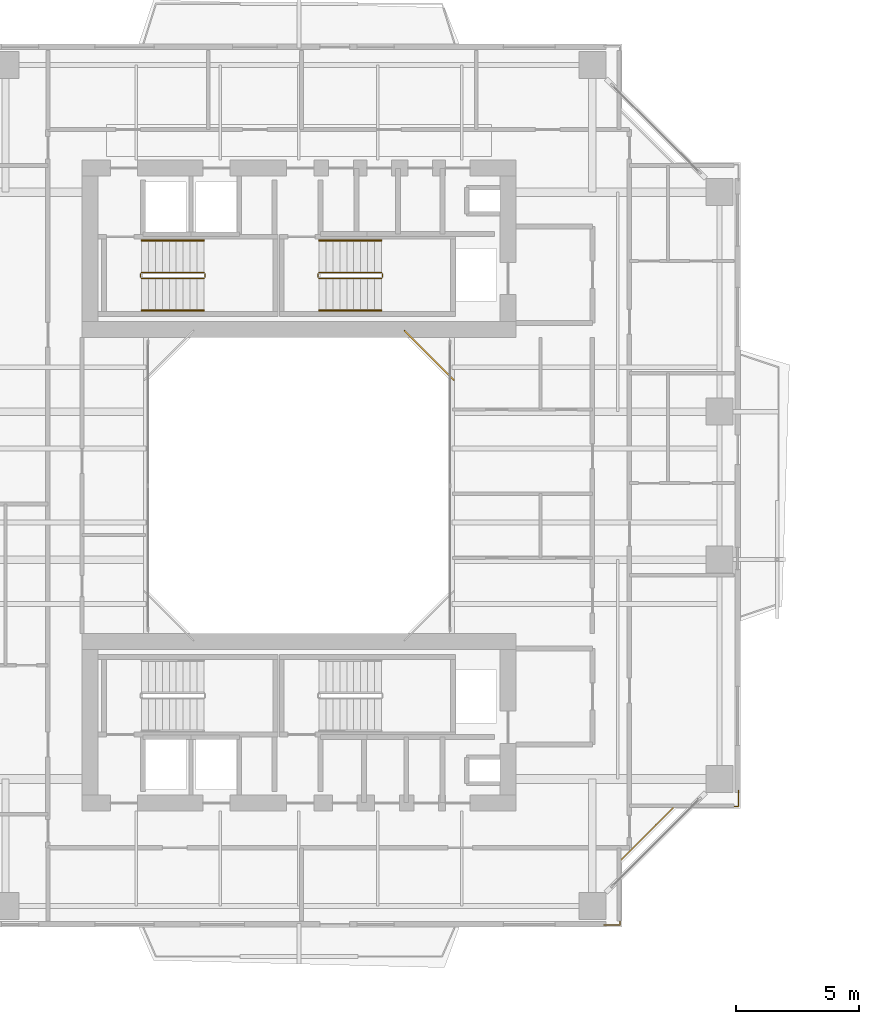
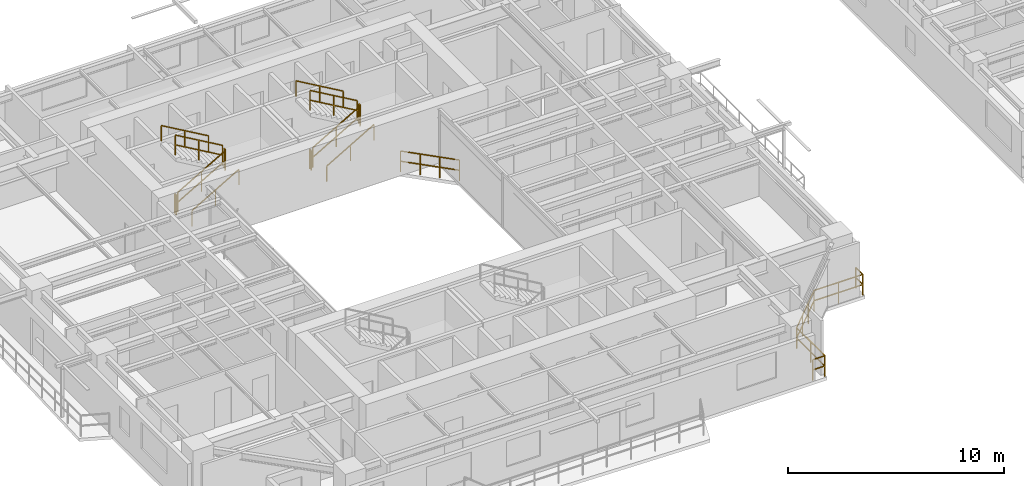
# One storey, part 20 of 23: 14 railings.
"""IFC4 building model written with IfcOpenShell, lengths in metres."""

from ifc_helpers import new_model, si_unit, direction, frame, origin, origin_2d, place, context, subcontext, project, spatial, rectangle, extrude, material, type_object, element, save


model = new_model("IFC4")

# Units and contexts
model_context = context("Model", 3, precision=1e-05, world=origin(), true_north=direction((0.0, 1.0)))
body_context = subcontext(model_context, "Body", "Model", "MODEL_VIEW")
ifc_project = project(units=[si_unit("LENGTHUNIT", "METRE"), si_unit("AREAUNIT", "SQUARE_METRE"), si_unit("VOLUMEUNIT", "CUBIC_METRE"), si_unit("PLANEANGLEUNIT", "RADIAN"), si_unit("MASSUNIT", "GRAM", prefix="KILO"), si_unit("THERMODYNAMICTEMPERATUREUNIT", "KELVIN"), si_unit("POWERUNIT", "WATT")], contexts=[model_context])

# Site, building, storey
site_placement = place(None, origin())
site = spatial("IfcSite", under=ifc_project, at=site_placement, CompositionType="ELEMENT")
building_placement = place(site_placement, origin())
building = spatial("IfcBuilding", under=site, at=building_placement, Name="Qiaomeng Ring Towers", CompositionType="ELEMENT")
storey_placement = place(building_placement, frame((0.0, 0.0, 103.5)))
storey = spatial("IfcBuildingStorey", under=building, at=storey_placement, Name="L29", CompositionType="ELEMENT", Elevation=103.5)

# Railings
ifc_material_1 = material(Name="Low-E pale-green laminated safety glass", Category="glass")
railing_type_1 = type_object("IfcRailingType", Name="ARC-RL-BAL1", PredefinedType="BALUSTRADE", material=ifc_material_1)
railing_1_placement = place(storey_placement, frame((25.280029296875, 27.280029296875, 0.0)))
element("IfcRailing", 1, at=railing_1_placement, inside=storey, type_object=railing_type_1, Name="L29 Balustrade ARC-BAL-WELL1-L29-2", PredefinedType="BALUSTRADE", context=body_context, shape_type="SweptSolid", body=[
    extrude(rectangle(XDim=0.048095703125, YDim=0.048095703125, at=origin_2d()), frame((0.0, 0.0, 1.17578125), z_axis=(-0.707106781187, 0.707106781187, 0.0), x_axis=(-0.707106781187, -0.707106781187, 0.0)), (0.0, 0.0, 1.0), 2.828369140625),
    extrude(rectangle(XDim=0.048095703125, YDim=0.048095703125, at=origin_2d()), frame((0.0, 0.0, 0.60009765625), z_axis=(-0.707106781187, 0.707106781187, 0.0), x_axis=(-0.707106781187, -0.707106781187, 0.0)), (0.0, 0.0, 1.0), 2.828369140625),
    extrude(rectangle(XDim=0.0419921875, YDim=0.0419921875, at=origin_2d()), origin(), (0.0, 0.0, 1.0), 1.15185546875),
    extrude(rectangle(XDim=0.0419921875, YDim=0.0419921875, at=origin_2d()), frame((-0.666748046875, 0.666748046875, 0.0)), (0.0, 0.0, 1.0), 1.15185546875),
    extrude(rectangle(XDim=0.0419921875, YDim=0.0419921875, at=origin_2d()), frame((-1.333251953125, 1.333251953125, 0.0)), (0.0, 0.0, 1.0), 1.15185546875),
    extrude(rectangle(XDim=0.0419921875, YDim=0.0419921875, at=origin_2d()), frame((-2.0, 2.0, 0.0)), (0.0, 0.0, 1.0), 1.15185546875),
])
railing_2_placement = place(storey_placement, frame((31.3701171875, 5.179931640625, 0.0)))
element("IfcRailing", 2, at=railing_2_placement, inside=storey, type_object=railing_type_1, Name="L29 Balustrade ARC-BAL-NOTCH1-L29-SE", PredefinedType="BALUSTRADE", context=body_context, shape_type="SweptSolid", body=[
    extrude(rectangle(XDim=0.048095703125, YDim=0.048095703125, at=origin_2d()), frame((0.0, 0.0, 1.17578125), z_axis=(1.0, 0.0, 0.0), x_axis=(0.0, 1.0, 0.0)), (0.0, 0.0, 1.0), 0.64990234375),
    extrude(rectangle(XDim=0.048095703125, YDim=0.048095703125, at=origin_2d()), frame((0.0, 0.0, 0.60009765625), z_axis=(1.0, 0.0, 0.0), x_axis=(0.0, 1.0, 0.0)), (0.0, 0.0, 1.0), 0.64990234375),
    extrude(rectangle(XDim=0.048095703125, YDim=0.048095703125, at=origin_2d()), frame((0.64990234375, 0.0, 1.17578125), z_axis=(0.0, 1.0, 0.0), x_axis=(-1.0, 0.0, 0.0)), (0.0, 0.0, 1.0), 2.60009765625),
    extrude(rectangle(XDim=0.048095703125, YDim=0.048095703125, at=origin_2d()), frame((0.64990234375, 0.0, 0.60009765625), z_axis=(0.0, 1.0, 0.0), x_axis=(-1.0, 0.0, 0.0)), (0.0, 0.0, 1.0), 2.60009765625),
    extrude(rectangle(XDim=0.048095703125, YDim=0.048095703125, at=origin_2d()), frame((0.64990234375, 2.60009765625, 1.17578125), z_axis=(0.707106781187, 0.707106781187, 0.0), x_axis=(-0.707106781187, 0.707106781187, 0.0)), (0.0, 0.0, 1.0), 3.111083984375),
    extrude(rectangle(XDim=0.048095703125, YDim=0.048095703125, at=origin_2d()), frame((0.64990234375, 2.60009765625, 0.60009765625), z_axis=(0.707106781187, 0.707106781187, 0.0), x_axis=(-0.707106781187, 0.707106781187, 0.0)), (0.0, 0.0, 1.0), 3.111083984375),
    extrude(rectangle(XDim=0.048095703125, YDim=0.048095703125, at=origin_2d()), frame((2.849853515625, 4.800048828125, 1.17578125), z_axis=(1.0, 0.0, 0.0), x_axis=(0.0, 1.0, 0.0)), (0.0, 0.0, 1.0), 2.60009765625),
    extrude(rectangle(XDim=0.048095703125, YDim=0.048095703125, at=origin_2d()), frame((2.849853515625, 4.800048828125, 0.60009765625), z_axis=(1.0, 0.0, 0.0), x_axis=(0.0, 1.0, 0.0)), (0.0, 0.0, 1.0), 2.60009765625),
    extrude(rectangle(XDim=0.048095703125, YDim=0.048095703125, at=origin_2d()), frame((5.449951171875, 4.800048828125, 1.17578125), z_axis=(0.0, 1.0, 0.0), x_axis=(-1.0, 0.0, 0.0)), (0.0, 0.0, 1.0), 0.64990234375),
    extrude(rectangle(XDim=0.048095703125, YDim=0.048095703125, at=origin_2d()), frame((5.449951171875, 4.800048828125, 0.60009765625), z_axis=(0.0, 1.0, 0.0), x_axis=(-1.0, 0.0, 0.0)), (0.0, 0.0, 1.0), 0.64990234375),
    extrude(rectangle(XDim=0.0419921875, YDim=0.0419921875, at=origin_2d()), origin(), (0.0, 0.0, 1.0), 1.15185546875),
    extrude(rectangle(XDim=0.0419921875, YDim=0.0419921875, at=origin_2d()), frame((0.64990234375, 0.0, 0.0)), (0.0, 0.0, 1.0), 1.15185546875),
    extrude(rectangle(XDim=0.0419921875, YDim=0.0419921875, at=origin_2d()), frame((0.64990234375, 1.300048828125, 0.0)), (0.0, 0.0, 1.0), 1.15185546875),
    extrude(rectangle(XDim=0.0419921875, YDim=0.0419921875, at=origin_2d()), frame((0.64990234375, 2.60009765625, 0.0)), (0.0, 0.0, 1.0), 1.15185546875),
    extrude(rectangle(XDim=0.0419921875, YDim=0.0419921875, at=origin_2d()), frame((1.38330078125, 3.33349609375, 0.0)), (0.0, 0.0, 1.0), 1.15185546875),
    extrude(rectangle(XDim=0.0419921875, YDim=0.0419921875, at=origin_2d()), frame((2.116455078125, 4.066650390625, 0.0)), (0.0, 0.0, 1.0), 1.15185546875),
    extrude(rectangle(XDim=0.0419921875, YDim=0.0419921875, at=origin_2d()), frame((2.849853515625, 4.800048828125, 0.0)), (0.0, 0.0, 1.0), 1.15185546875),
    extrude(rectangle(XDim=0.0419921875, YDim=0.0419921875, at=origin_2d()), frame((4.14990234375, 4.800048828125, 0.0)), (0.0, 0.0, 1.0), 1.15185546875),
    extrude(rectangle(XDim=0.0419921875, YDim=0.0419921875, at=origin_2d()), frame((5.449951171875, 4.800048828125, 0.0)), (0.0, 0.0, 1.0), 1.15185546875),
    extrude(rectangle(XDim=0.0419921875, YDim=0.0419921875, at=origin_2d()), frame((5.449951171875, 5.449951171875, 0.0)), (0.0, 0.0, 1.0), 1.15185546875),
])
ifc_material_2 = material(Name="Galvanised steel", Category="steel")
railing_type_2 = type_object("IfcRailingType", Name="ARC-RL-GUARD", PredefinedType="GUARDRAIL", material=ifc_material_2)
railing_3_placement = place(storey_placement, frame((12.6201171875, 31.39990234375, 0.16259765625)))
element("IfcRailing", 3, at=railing_3_placement, inside=storey, type_object=railing_type_2, Name="L29 ST1 stair guard 1", PredefinedType="GUARDRAIL", context=body_context, shape_type="SweptSolid", body=[
    extrude(rectangle(XDim=0.048095703125, YDim=0.048095703125, at=origin_2d()), frame((0.0, 0.0, 1.1259765625), z_axis=(0.864892226395, 0.0, 0.501957604506), x_axis=(0.0, 1.0, 0.0)), (0.0, 0.0, 1.0), 2.913330078125),
    extrude(rectangle(XDim=0.048095703125, YDim=0.048095703125, at=origin_2d()), frame((0.0, 0.0, 0.574951171875), z_axis=(0.864892226395, 0.0, 0.501957604506), x_axis=(0.0, 1.0, 0.0)), (0.0, 0.0, 1.0), 2.913330078125),
    extrude(rectangle(XDim=0.0419921875, YDim=0.0419921875, at=origin_2d()), origin(), (0.0, 0.0, 1.0), 1.101806640625),
    extrude(rectangle(XDim=0.0419921875, YDim=0.0419921875, at=origin_2d()), frame((1.259765625, 0.0, 0.731201171875)), (0.0, 0.0, 1.0), 1.101806640625),
    extrude(rectangle(XDim=0.0419921875, YDim=0.0419921875, at=origin_2d()), frame((2.519775390625, 0.0, 1.46240234375)), (0.0, 0.0, 1.0), 1.101806640625),
])
railing_4_placement = place(storey_placement, frame((15.18994140625, 31.449951171875, 1.625)))
element("IfcRailing", 4, at=railing_4_placement, inside=storey, type_object=railing_type_2, Name="L29 ST1 stair guard 2", PredefinedType="GUARDRAIL", context=body_context, shape_type="SweptSolid", body=[
    extrude(rectangle(XDim=0.048095703125, YDim=0.048095703125, at=origin_2d()), frame((0.0, 0.0, 1.1259765625), z_axis=(0.0, 1.0, 0.0), x_axis=(-1.0, 0.0, 0.0)), (0.0, 0.0, 1.0), 0.14013671875),
    extrude(rectangle(XDim=0.048095703125, YDim=0.048095703125, at=origin_2d()), frame((0.0, 0.0, 0.574951171875), z_axis=(0.0, 1.0, 0.0), x_axis=(-1.0, 0.0, 0.0)), (0.0, 0.0, 1.0), 0.14013671875),
    extrude(rectangle(XDim=0.0419921875, YDim=0.0419921875, at=origin_2d()), origin(), (0.0, 0.0, 1.0), 1.101806640625),
    extrude(rectangle(XDim=0.0419921875, YDim=0.0419921875, at=origin_2d()), frame((0.0, 0.14013671875, 0.0)), (0.0, 0.0, 1.0), 1.101806640625),
])
railing_5_placement = place(storey_placement, frame((15.139892578125, 31.639892578125, 1.78759765625)))
element("IfcRailing", 5, at=railing_5_placement, inside=storey, type_object=railing_type_2, Name="L29 ST1 stair guard 3", PredefinedType="GUARDRAIL", context=body_context, shape_type="SweptSolid", body=[
    extrude(rectangle(XDim=0.048095703125, YDim=0.048095703125, at=origin_2d()), frame((0.0, 0.0, 1.1259765625), z_axis=(-0.864892226395, 0.0, 0.501957604506), x_axis=(0.0, -1.0, 0.0)), (0.0, 0.0, 1.0), 2.913330078125),
    extrude(rectangle(XDim=0.048095703125, YDim=0.048095703125, at=origin_2d()), frame((0.0, 0.0, 0.574951171875), z_axis=(-0.864892226395, 0.0, 0.501957604506), x_axis=(0.0, -1.0, 0.0)), (0.0, 0.0, 1.0), 2.913330078125),
    extrude(rectangle(XDim=0.0419921875, YDim=0.0419921875, at=origin_2d()), origin(), (0.0, 0.0, 1.0), 1.101806640625),
    extrude(rectangle(XDim=0.0419921875, YDim=0.0419921875, at=origin_2d()), frame((-1.259765625, 0.0, 0.731201171875)), (0.0, 0.0, 1.0), 1.101806640625),
    extrude(rectangle(XDim=0.0419921875, YDim=0.0419921875, at=origin_2d()), frame((-2.519775390625, 0.0, 1.46240234375)), (0.0, 0.0, 1.0), 1.101806640625),
])
railing_6_placement = place(storey_placement, frame((12.570068359375, 31.449951171875, 0.0)))
element("IfcRailing", 6, at=railing_6_placement, inside=storey, type_object=railing_type_2, Name="L29 ST1 stair guard 4", PredefinedType="GUARDRAIL", context=body_context, shape_type="SweptSolid", body=[
    extrude(rectangle(XDim=0.048095703125, YDim=0.048095703125, at=origin_2d()), frame((0.0, 0.0, 1.1259765625), z_axis=(0.0, 1.0, 0.0), x_axis=(-1.0, 0.0, 0.0)), (0.0, 0.0, 1.0), 0.14013671875),
    extrude(rectangle(XDim=0.048095703125, YDim=0.048095703125, at=origin_2d()), frame((0.0, 0.0, 0.574951171875), z_axis=(0.0, 1.0, 0.0), x_axis=(-1.0, 0.0, 0.0)), (0.0, 0.0, 1.0), 0.14013671875),
    extrude(rectangle(XDim=0.0419921875, YDim=0.0419921875, at=origin_2d()), origin(), (0.0, 0.0, 1.0), 1.101806640625),
    extrude(rectangle(XDim=0.0419921875, YDim=0.0419921875, at=origin_2d()), frame((0.0, 0.14013671875, 0.0)), (0.0, 0.0, 1.0), 1.101806640625),
])
railing_7_placement = place(storey_placement, frame((19.820068359375, 31.39990234375, 0.16259765625)))
element("IfcRailing", 7, at=railing_7_placement, inside=storey, type_object=railing_type_2, Name="L29 ST2 stair guard 1", PredefinedType="GUARDRAIL", context=body_context, shape_type="SweptSolid", body=[
    extrude(rectangle(XDim=0.048095703125, YDim=0.048095703125, at=origin_2d()), frame((0.0, 0.0, 1.1259765625), z_axis=(0.864913338283, 0.0, 0.50192122615), x_axis=(0.0, 1.0, 0.0)), (0.0, 0.0, 1.0), 2.91357421875),
    extrude(rectangle(XDim=0.048095703125, YDim=0.048095703125, at=origin_2d()), frame((0.0, 0.0, 0.574951171875), z_axis=(0.864913338283, 0.0, 0.50192122615), x_axis=(0.0, 1.0, 0.0)), (0.0, 0.0, 1.0), 2.91357421875),
    extrude(rectangle(XDim=0.0419921875, YDim=0.0419921875, at=origin_2d()), origin(), (0.0, 0.0, 1.0), 1.101806640625),
    extrude(rectangle(XDim=0.0419921875, YDim=0.0419921875, at=origin_2d()), frame((1.260009765625, 0.0, 0.731201171875)), (0.0, 0.0, 1.0), 1.101806640625),
    extrude(rectangle(XDim=0.0419921875, YDim=0.0419921875, at=origin_2d()), frame((2.52001953125, 0.0, 1.46240234375)), (0.0, 0.0, 1.0), 1.101806640625),
])
railing_8_placement = place(storey_placement, frame((22.389892578125, 31.449951171875, 1.625)))
element("IfcRailing", 8, at=railing_8_placement, inside=storey, type_object=railing_type_2, Name="L29 ST2 stair guard 2", PredefinedType="GUARDRAIL", context=body_context, shape_type="SweptSolid", body=[
    extrude(rectangle(XDim=0.048095703125, YDim=0.048095703125, at=origin_2d()), frame((0.0, 0.0, 1.1259765625), z_axis=(0.0, 1.0, 0.0), x_axis=(-1.0, 0.0, 0.0)), (0.0, 0.0, 1.0), 0.14013671875),
    extrude(rectangle(XDim=0.048095703125, YDim=0.048095703125, at=origin_2d()), frame((0.0, 0.0, 0.574951171875), z_axis=(0.0, 1.0, 0.0), x_axis=(-1.0, 0.0, 0.0)), (0.0, 0.0, 1.0), 0.14013671875),
    extrude(rectangle(XDim=0.0419921875, YDim=0.0419921875, at=origin_2d()), origin(), (0.0, 0.0, 1.0), 1.101806640625),
    extrude(rectangle(XDim=0.0419921875, YDim=0.0419921875, at=origin_2d()), frame((0.0, 0.14013671875, 0.0)), (0.0, 0.0, 1.0), 1.101806640625),
])
railing_9_placement = place(storey_placement, frame((22.340087890625, 31.639892578125, 1.78759765625)))
element("IfcRailing", 9, at=railing_9_placement, inside=storey, type_object=railing_type_2, Name="L29 ST2 stair guard 3", PredefinedType="GUARDRAIL", context=body_context, shape_type="SweptSolid", body=[
    extrude(rectangle(XDim=0.048095703125, YDim=0.048095703125, at=origin_2d()), frame((0.0, 0.0, 1.1259765625), z_axis=(-0.864913338283, 0.0, 0.50192122615), x_axis=(0.0, -1.0, 0.0)), (0.0, 0.0, 1.0), 2.91357421875),
    extrude(rectangle(XDim=0.048095703125, YDim=0.048095703125, at=origin_2d()), frame((0.0, 0.0, 0.574951171875), z_axis=(-0.864913338283, 0.0, 0.50192122615), x_axis=(0.0, -1.0, 0.0)), (0.0, 0.0, 1.0), 2.91357421875),
    extrude(rectangle(XDim=0.0419921875, YDim=0.0419921875, at=origin_2d()), origin(), (0.0, 0.0, 1.0), 1.101806640625),
    extrude(rectangle(XDim=0.0419921875, YDim=0.0419921875, at=origin_2d()), frame((-1.260009765625, 0.0, 0.731201171875)), (0.0, 0.0, 1.0), 1.101806640625),
    extrude(rectangle(XDim=0.0419921875, YDim=0.0419921875, at=origin_2d()), frame((-2.52001953125, 0.0, 1.46240234375)), (0.0, 0.0, 1.0), 1.101806640625),
])
railing_10_placement = place(storey_placement, frame((19.77001953125, 31.449951171875, 0.0)))
element("IfcRailing", 10, at=railing_10_placement, inside=storey, type_object=railing_type_2, Name="L29 ST2 stair guard 4", PredefinedType="GUARDRAIL", context=body_context, shape_type="SweptSolid", body=[
    extrude(rectangle(XDim=0.048095703125, YDim=0.048095703125, at=origin_2d()), frame((0.0, 0.0, 1.1259765625), z_axis=(0.0, 1.0, 0.0), x_axis=(-1.0, 0.0, 0.0)), (0.0, 0.0, 1.0), 0.14013671875),
    extrude(rectangle(XDim=0.048095703125, YDim=0.048095703125, at=origin_2d()), frame((0.0, 0.0, 0.574951171875), z_axis=(0.0, 1.0, 0.0), x_axis=(-1.0, 0.0, 0.0)), (0.0, 0.0, 1.0), 0.14013671875),
    extrude(rectangle(XDim=0.0419921875, YDim=0.0419921875, at=origin_2d()), origin(), (0.0, 0.0, 1.0), 1.101806640625),
    extrude(rectangle(XDim=0.0419921875, YDim=0.0419921875, at=origin_2d()), frame((0.0, 0.14013671875, 0.0)), (0.0, 0.0, 1.0), 1.101806640625),
])
ifc_material_3 = material(Name="Stainless steel 316", Category="steel")
railing_type_3 = type_object("IfcRailingType", Name="ARC-RL-HAND", PredefinedType="HANDRAIL", material=ifc_material_3)
railing_11_placement = place(storey_placement, frame((12.6201171875, 30.10009765625, 0.16259765625)))
element("IfcRailing", 11, at=railing_11_placement, inside=storey, type_object=railing_type_3, Name="L29 ST1 stair handrail 1", PredefinedType="HANDRAIL", context=body_context, shape_type="SweptSolid", body=[
    extrude(rectangle(XDim=0.048095703125, YDim=0.048095703125, at=origin_2d()), frame((0.0, 0.0, 0.8759765625), z_axis=(0.864892226395, 0.0, 0.501957604506), x_axis=(0.0, 1.0, 0.0)), (0.0, 0.0, 1.0), 2.913330078125),
    extrude(rectangle(XDim=0.0419921875, YDim=0.0419921875, at=origin_2d()), origin(), (0.0, 0.0, 1.0), 0.851806640625),
    extrude(rectangle(XDim=0.0419921875, YDim=0.0419921875, at=origin_2d()), frame((1.259765625, 0.0, 0.731201171875)), (0.0, 0.0, 1.0), 0.851806640625),
    extrude(rectangle(XDim=0.0419921875, YDim=0.0419921875, at=origin_2d()), frame((2.519775390625, 0.0, 1.46240234375)), (0.0, 0.0, 1.0), 0.851806640625),
])
railing_12_placement = place(storey_placement, frame((15.139892578125, 32.93994140625, 1.78759765625)))
element("IfcRailing", 12, at=railing_12_placement, inside=storey, type_object=railing_type_3, Name="L29 ST1 stair handrail 2", PredefinedType="HANDRAIL", context=body_context, shape_type="SweptSolid", body=[
    extrude(rectangle(XDim=0.048095703125, YDim=0.048095703125, at=origin_2d()), frame((0.0, 0.0, 0.8759765625), z_axis=(-0.864892226395, 0.0, 0.501957604506), x_axis=(0.0, -1.0, 0.0)), (0.0, 0.0, 1.0), 2.913330078125),
    extrude(rectangle(XDim=0.0419921875, YDim=0.0419921875, at=origin_2d()), origin(), (0.0, 0.0, 1.0), 0.851806640625),
    extrude(rectangle(XDim=0.0419921875, YDim=0.0419921875, at=origin_2d()), frame((-1.259765625, 0.0, 0.731201171875)), (0.0, 0.0, 1.0), 0.851806640625),
    extrude(rectangle(XDim=0.0419921875, YDim=0.0419921875, at=origin_2d()), frame((-2.519775390625, 0.0, 1.46240234375)), (0.0, 0.0, 1.0), 0.851806640625),
])
railing_13_placement = place(storey_placement, frame((19.820068359375, 30.10009765625, 0.16259765625)))
element("IfcRailing", 13, at=railing_13_placement, inside=storey, type_object=railing_type_3, Name="L29 ST2 stair handrail 1", PredefinedType="HANDRAIL", context=body_context, shape_type="SweptSolid", body=[
    extrude(rectangle(XDim=0.048095703125, YDim=0.048095703125, at=origin_2d()), frame((0.0, 0.0, 0.8759765625), z_axis=(0.864913338283, 0.0, 0.50192122615), x_axis=(0.0, 1.0, 0.0)), (0.0, 0.0, 1.0), 2.91357421875),
    extrude(rectangle(XDim=0.0419921875, YDim=0.0419921875, at=origin_2d()), origin(), (0.0, 0.0, 1.0), 0.851806640625),
    extrude(rectangle(XDim=0.0419921875, YDim=0.0419921875, at=origin_2d()), frame((1.260009765625, 0.0, 0.731201171875)), (0.0, 0.0, 1.0), 0.851806640625),
    extrude(rectangle(XDim=0.0419921875, YDim=0.0419921875, at=origin_2d()), frame((2.52001953125, 0.0, 1.46240234375)), (0.0, 0.0, 1.0), 0.851806640625),
])
railing_14_placement = place(storey_placement, frame((22.340087890625, 32.93994140625, 1.78759765625)))
element("IfcRailing", 14, at=railing_14_placement, inside=storey, type_object=railing_type_3, Name="L29 ST2 stair handrail 2", PredefinedType="HANDRAIL", context=body_context, shape_type="SweptSolid", body=[
    extrude(rectangle(XDim=0.048095703125, YDim=0.048095703125, at=origin_2d()), frame((0.0, 0.0, 0.8759765625), z_axis=(-0.864913338283, 0.0, 0.50192122615), x_axis=(0.0, -1.0, 0.0)), (0.0, 0.0, 1.0), 2.91357421875),
    extrude(rectangle(XDim=0.0419921875, YDim=0.0419921875, at=origin_2d()), origin(), (0.0, 0.0, 1.0), 0.851806640625),
    extrude(rectangle(XDim=0.0419921875, YDim=0.0419921875, at=origin_2d()), frame((-1.260009765625, 0.0, 0.731201171875)), (0.0, 0.0, 1.0), 0.851806640625),
    extrude(rectangle(XDim=0.0419921875, YDim=0.0419921875, at=origin_2d()), frame((-2.52001953125, 0.0, 1.46240234375)), (0.0, 0.0, 1.0), 0.851806640625),
])

save(model, "model.ifc")
